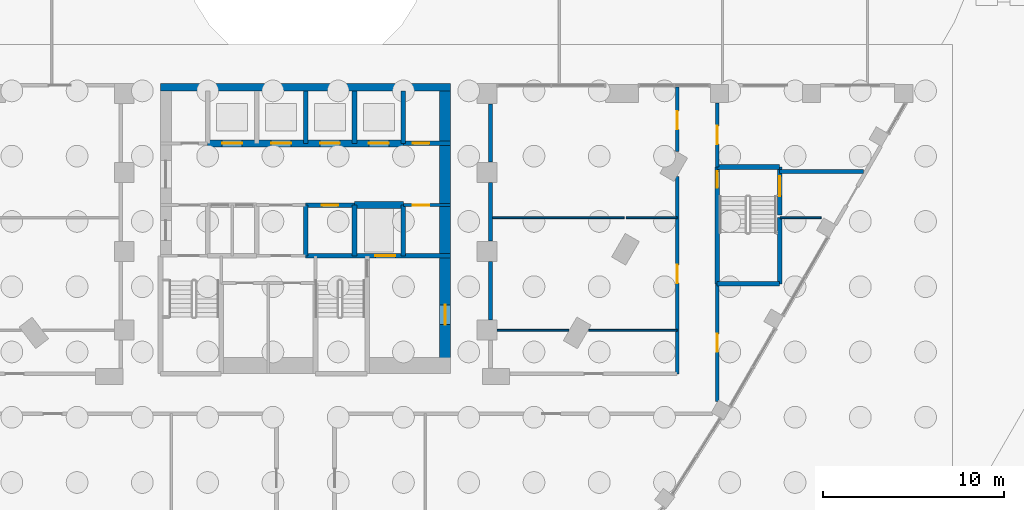
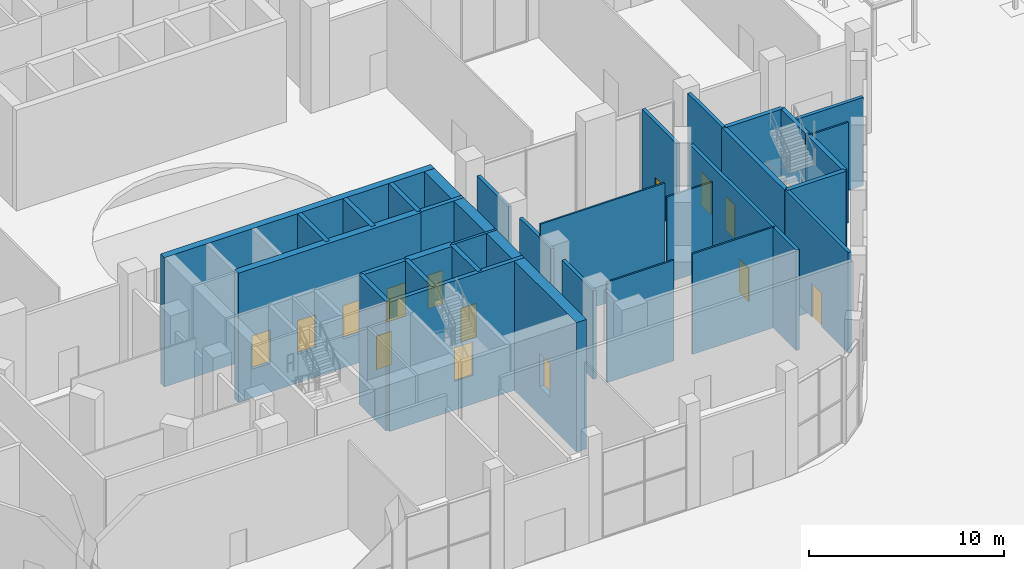
# One storey, part 26 of 44: 32 walls, 15 doors, 15 openings.
"""IFC4 building model written with IfcOpenShell, lengths in metres."""

import ifcopenshell
import ifcopenshell.guid

model = None  # the IFC model being written
_history = None  # IfcOwnerHistory: only IFC2X3 demands one
_inside = {}  # id of a spatial element -> (the spatial element, [elements in it])
_under = {}  # id of a project, library or spatial element -> (it, [spatial elements below it])
_declared = {}  # id of a project -> (the project, [libraries it declares])
_typed = {}  # id of a type object -> (the type object, [elements of that type])
_made_of = {}  # id of a material, layer set ... -> (it, [elements and type objects made of it])


def new_model(schema):
    """Start an empty IFC model of exactly this schema.

    Asked for "IFC4X3", IfcOpenShell would pick the latest addendum, in which some entities
    have other attributes; the version numbers below select the first issue.
    IFC2X3 requires an IfcOwnerHistory on every rooted entity: one is made here for all.
    """
    global model, _history
    if schema == "IFC4X3":
        model = ifcopenshell.file(schema_version=(4, 3, 0, 0))
    else:
        model = ifcopenshell.file(schema=schema)
    _inside.clear()
    _under.clear()
    _declared.clear()
    _typed.clear()
    _made_of.clear()
    _history = None
    if model.schema == "IFC2X3":
        org = make("IfcOrganization", Name="unknown")
        user = make(
            "IfcPersonAndOrganization",
            ThePerson=make("IfcPerson", FamilyName="unknown"),
            TheOrganization=org,
        )
        app = make(
            "IfcApplication",
            ApplicationDeveloper=org,
            Version="unknown",
            ApplicationFullName="unknown",
            ApplicationIdentifier="unknown",
        )
        _history = make(
            "IfcOwnerHistory",
            OwningUser=user,
            OwningApplication=app,
            ChangeAction="ADDED",
            CreationDate=0,
        )
    return model


def make(cls, **values):
    """One entity of the class cls with the attributes given. An attribute that is None is left unset."""
    return model.create_entity(
        cls, **{name: value for name, value in values.items() if value is not None}
    )


def rooted(cls, **values):
    """An entity with a GlobalId (a new one), such as an element, a storey or a relation."""
    return make(cls, GlobalId=ifcopenshell.guid.new(), OwnerHistory=_history, **values)


def si_unit(unit_type, name, prefix=None):
    """IfcSIUnit, for example si_unit("LENGTHUNIT", "METRE", prefix="MILLI")."""
    return make("IfcSIUnit", UnitType=unit_type, Prefix=prefix, Name=name)


def assignment(units):
    """IfcUnitAssignment: the units of a project."""
    return None if units is None else make("IfcUnitAssignment", Units=units)


def point(xyz):
    """IfcCartesianPoint."""
    return None if xyz is None else make("IfcCartesianPoint", Coordinates=xyz)


def direction(xyz):
    """IfcDirection."""
    return None if xyz is None else make("IfcDirection", DirectionRatios=xyz)


def frame(location, z_axis=None, x_axis=None):
    """IfcAxis2Placement3D, a coordinate frame: its origin and axes. An axis left out is left unset."""
    return make(
        "IfcAxis2Placement3D",
        Location=point(location),
        Axis=direction(z_axis),
        RefDirection=direction(x_axis),
    )


def frame_2d(location, x_axis=None):
    """IfcAxis2Placement2D, a coordinate frame in the plane: its origin and x axis."""
    return make(
        "IfcAxis2Placement2D", Location=point(location), RefDirection=direction(x_axis)
    )


def origin():
    """The frame at (0, 0, 0) with its axes left unset."""
    return frame((0.0, 0.0, 0.0))


def place(relative_to, where):
    """IfcLocalPlacement: puts the frame where relative to a parent placement (None: the world)."""
    return make(
        "IfcLocalPlacement", PlacementRelTo=relative_to, RelativePlacement=where
    )


def context(
    kind, dimensions, precision=None, world=None, true_north=None, identifier=None
):
    """IfcGeometricRepresentationContext, for example the 3D "Model" context."""
    return make(
        "IfcGeometricRepresentationContext",
        ContextIdentifier=identifier,
        ContextType=kind,
        CoordinateSpaceDimension=dimensions,
        Precision=precision,
        WorldCoordinateSystem=world,
        TrueNorth=true_north,
    )


def subcontext(parent, identifier, kind, view, scale=None):
    """IfcGeometricRepresentationSubContext, for example "Body" below "Model"."""
    return make(
        "IfcGeometricRepresentationSubContext",
        ContextIdentifier=identifier,
        ContextType=kind,
        ParentContext=parent,
        TargetScale=scale,
        TargetView=view,
    )


def project(units=None, contexts=None):
    """IfcProject with its units and contexts."""
    return rooted(
        "IfcProject",
        Name="project",
        RepresentationContexts=contexts,
        UnitsInContext=assignment(units),
    )


def spatial(cls, under=None, at=None, **own):
    """A site, building, storey or space (cls), placed at a placement, below another one or the project."""
    s = rooted(cls, ObjectPlacement=at, **own)
    if under is not None:
        _under.setdefault(under.id(), (under, []))[1].append(s)
    return s


def profile(cls, at=None, kind="AREA", **sizes):
    """A parametric profile (cls). Its sizes go by their IFC names, for example OverallWidth=200.0."""
    return make(cls, ProfileType=kind, Position=at, **sizes)


def rectangle(**sizes):
    """IfcRectangleProfileDef."""
    return profile("IfcRectangleProfileDef", **sizes)


def extrude(swept, where, along, depth):
    """IfcExtrudedAreaSolid: the profile swept, set in the frame where, extruded along a direction by depth."""
    return make(
        "IfcExtrudedAreaSolid",
        SweptArea=swept,
        Position=where,
        ExtrudedDirection=direction(along),
        Depth=depth,
    )


def shape(context_of_items, identifier, shape_type, items):
    """IfcShapeRepresentation: the items that make up one representation, for example the "Body"."""
    return make(
        "IfcShapeRepresentation",
        ContextOfItems=context_of_items,
        RepresentationIdentifier=identifier,
        RepresentationType=shape_type,
        Items=items,
    )


def material(Name=None, Category=None):
    """IfcMaterial."""
    return make("IfcMaterial", Name=Name, Category=Category)


def layer(
    of_material, thickness, ventilated=None, Name=None, Category=None, Priority=None
):
    """IfcMaterialLayer: one layer of a wall or slab, of a material (None: an air gap)."""
    return make(
        "IfcMaterialLayer",
        Material=of_material,
        LayerThickness=thickness,
        IsVentilated=ventilated,
        Name=Name,
        Category=Category,
        Priority=Priority,
    )


def layer_set(layers, Name=None):
    """IfcMaterialLayerSet."""
    return make("IfcMaterialLayerSet", MaterialLayers=layers, LayerSetName=Name)


def made_of(thing, what):
    """Note that an element or type object is made of a material, layer set ...; save() writes the relation."""
    if what is not None:
        _made_of.setdefault(what.id(), (what, []))[1].append(thing)
    return thing


def type_object(cls, material=None, **own):
    """A type object (cls), such as IfcWallType, which elements share."""
    return made_of(rooted(cls, **own), material)


def element(
    cls,
    number,
    at=None,
    inside=None,
    cuts=None,
    type_object=None,
    material=None,
    context=None,
    identifier="Body",
    shape_type=None,
    held_by="IfcProductDefinitionShape",
    body=None,
    shapes=None,
    **own,
):
    """One element of the class cls, such as IfcWall. Its Tag is "e" and its number.

    at: its placement. inside: the storey or other place that contains it. cuts: it is an
    opening in that element (IfcRelVoidsElement). A single representation is given by context,
    identifier, shape_type and body (its items); several are given by shapes. held_by: the class
    of the entity that holds the representations. save() writes the other relations.
    """
    e = rooted(cls, Tag="e%d" % number, ObjectPlacement=at, **own)
    if body is not None:
        shapes = [shape(context, identifier, shape_type, body)]
    if shapes is not None:
        e.Representation = make(held_by, Representations=shapes)
    if inside is not None:
        _inside.setdefault(inside.id(), (inside, []))[1].append(e)
    if cuts is not None:
        rooted(
            "IfcRelVoidsElement", RelatingBuildingElement=cuts, RelatedOpeningElement=e
        )
    if type_object is not None:
        _typed.setdefault(type_object.id(), (type_object, []))[1].append(e)
    return made_of(e, material)


def fill(opening, filler):
    """IfcRelFillsElement: the door or window that sits in an opening."""
    return rooted(
        "IfcRelFillsElement",
        RelatingOpeningElement=opening,
        RelatedBuildingElement=filler,
    )


def aggregate(whole, parts):
    """IfcRelAggregates: a whole, such as a stair, and the parts it consists of."""
    return rooted("IfcRelAggregates", RelatingObject=whole, RelatedObjects=parts)


def save(model, path):
    """Write the relations noted so far, then the file.

    IfcRelAggregates (storeys below a building ...), IfcRelContainedInSpatialStructure (elements
    in a storey), IfcRelDefinesByType, IfcRelAssociatesMaterial and IfcRelDeclares: one each for
    every whole, place, type object, material and project.
    """
    for whole, parts in _under.values():
        aggregate(whole, parts)
    for where, things in _inside.values():
        rooted(
            "IfcRelContainedInSpatialStructure",
            RelatedElements=things,
            RelatingStructure=where,
        )
    for kind, things in _typed.values():
        rooted("IfcRelDefinesByType", RelatedObjects=things, RelatingType=kind)
    for what, things in _made_of.values():
        rooted("IfcRelAssociatesMaterial", RelatedObjects=things, RelatingMaterial=what)
    for by, libraries in _declared.values():
        rooted("IfcRelDeclares", RelatingContext=by, RelatedDefinitions=libraries)
    model.write(path)


model = new_model("IFC4")

# Units and contexts
model_context = context("Model", 3, precision=1e-05, world=origin(), true_north=direction((0.0, 1.0)))
body_context = subcontext(model_context, "Body", "Model", "MODEL_VIEW")
ifc_project = project(units=[si_unit("LENGTHUNIT", "METRE"), si_unit("AREAUNIT", "SQUARE_METRE"), si_unit("VOLUMEUNIT", "CUBIC_METRE"), si_unit("PLANEANGLEUNIT", "RADIAN"), si_unit("MASSUNIT", "GRAM", prefix="KILO")], contexts=[model_context])

# Site, building, storey
site_placement = place(None, origin())
site = spatial("IfcSite", under=ifc_project, at=site_placement, CompositionType="ELEMENT")
building_placement = place(site_placement, origin())
building = spatial("IfcBuilding", under=site, at=building_placement, Name="Nakaniwa Court", CompositionType="ELEMENT")
storey_placement = place(building_placement, origin())
storey = spatial("IfcBuildingStorey", under=building, at=storey_placement, Name="L00", CompositionType="ELEMENT", Elevation=0.0)

# Wall, opening, door
ifc_material_1 = material(Name="Acoustic double stud partition")
ifc_layer_1 = layer(ifc_material_1, 0.199951171875)
ifc_layer_set_1 = layer_set([ifc_layer_1], Name="Acoustic double stud partition")
wall_type_1 = type_object("IfcWallType", Name="Acoustic double stud partition 200", PredefinedType="PARTITIONING", material=ifc_layer_set_1)
wall_1_placement = place(storey_placement, frame((102.699951171875, 61.552978515625, 0.0), z_axis=(0.0, 0.0, 1.0), x_axis=(0.0, -1.0, 0.0)))
wall_1 = element("IfcWall", 1, at=wall_1_placement, inside=storey, type_object=wall_type_1, Name="Partition PW-079", PredefinedType="PARTITIONING", context=body_context, shape_type="SweptSolid", body=[
    extrude(rectangle(XDim=6.49853515625, YDim=0.199951171875, at=frame_2d((3.249267578125, 0.0))), origin(), (0.0, 0.0, 1.0), 6.300048828125),
])
opening_1_placement = place(wall_1_placement, frame((2.75, 0.0, 0.0)))
opening_1 = element("IfcOpeningElement", 2, at=opening_1_placement, cuts=wall_1, Name="Opening D-02-16", PredefinedType="OPENING", context=body_context, shape_type="SweptSolid", body=[
    extrude(rectangle(XDim=1.0, YDim=2.10009765625, at=frame_2d((0.5, 1.050048828125))), frame((0.0, 0.10986328125, 0.0), z_axis=(0.0, -1.0, 0.0), x_axis=(1.0, 0.0, 0.0)), (0.0, 0.0, 1.0), 0.219970703125),
])
ifc_material_2 = material(Name="Solid core timber door set, black veneer", Category="wood")
door_type_1 = type_object("IfcDoorType", Name="Internal door 1000", OperationType="NOTDEFINED", PredefinedType="DOOR", material=ifc_material_2)
door_1_placement = place(opening_1_placement, origin())
door_1 = element("IfcDoor", 3, at=door_1_placement, inside=storey, type_object=door_type_1, Name="Door D-02-16 L00-052", OperationType="SINGLE_SWING_LEFT", OverallHeight=2.10009765625, OverallWidth=1.0, PredefinedType="DOOR", context=body_context, shape_type="SweptSolid", body=[
    extrude(rectangle(XDim=1.0, YDim=2.10009765625, at=frame_2d((0.5, 1.050048828125))), frame((0.0, 0.02490234375, 0.0), z_axis=(0.0, -1.0, 0.0), x_axis=(1.0, 0.0, 0.0)), (0.0, 0.0, 1.0), 0.050048828125),
])
fill(opening_1, door_1)

wall_2_placement = place(storey_placement, frame((102.699951171875, 71.532958984375, 0.0), z_axis=(0.0, 0.0, 1.0), x_axis=(0.0, -1.0, 0.0)))
wall_2 = element("IfcWall", 4, at=wall_2_placement, inside=storey, type_object=wall_type_1, Name="Partition PW-080", PredefinedType="PARTITIONING", context=body_context, shape_type="SweptSolid", body=[
    extrude(rectangle(XDim=3.535888671875, YDim=0.199951171875, at=frame_2d((1.76806640625, 0.0))), origin(), (0.0, 0.0, 1.0), 6.300048828125),
])
opening_2_placement = place(wall_2_placement, frame((1.26806640625, 0.0, 0.0)))
opening_2 = element("IfcOpeningElement", 5, at=opening_2_placement, cuts=wall_2, Name="Opening D-02-15", PredefinedType="OPENING", context=body_context, shape_type="SweptSolid", body=[
    extrude(rectangle(XDim=1.0, YDim=2.10009765625, at=frame_2d((0.5, 1.050048828125))), frame((0.0, 0.10986328125, 0.0), z_axis=(0.0, -1.0, 0.0), x_axis=(1.0, 0.0, 0.0)), (0.0, 0.0, 1.0), 0.219970703125),
])
door_2_placement = place(opening_2_placement, origin())
door_2 = element("IfcDoor", 6, at=door_2_placement, inside=storey, type_object=door_type_1, Name="Door D-02-15 L00-051", OperationType="SINGLE_SWING_RIGHT", OverallHeight=2.10009765625, OverallWidth=1.0, PredefinedType="DOOR", context=body_context, shape_type="SweptSolid", body=[
    extrude(rectangle(XDim=1.0, YDim=2.10009765625, at=frame_2d((0.5, 1.050048828125))), frame((0.0, 0.02490234375, 0.0), z_axis=(0.0, -1.0, 0.0), x_axis=(1.0, 0.0, 0.0)), (0.0, 0.0, 1.0), 0.050048828125),
])
fill(opening_2, door_2)

wall_3_placement = place(storey_placement, frame((100.5, 56.596923828125, 0.0), z_axis=(0.0, 0.0, 1.0), x_axis=(0.0, 1.0, 0.0)))
wall_3 = element("IfcWall", 7, at=wall_3_placement, inside=storey, type_object=wall_type_1, Name="Partition PW-085", PredefinedType="PARTITIONING", context=body_context, shape_type="SweptSolid", body=[
    extrude(rectangle(XDim=10.873291015625, YDim=0.199951171875, at=frame_2d((5.4365234375, 0.0))), origin(), (0.0, 0.0, 1.0), 6.300048828125),
])
opening_3_placement = place(wall_3_placement, frame((5.0029296875, 0.0, 0.0)))
opening_3 = element("IfcOpeningElement", 8, at=opening_3_placement, cuts=wall_3, Name="Opening D-02-18", PredefinedType="OPENING", context=body_context, shape_type="SweptSolid", body=[
    extrude(rectangle(XDim=1.0, YDim=2.10009765625, at=frame_2d((0.5, 1.050048828125))), frame((0.0, 0.10986328125, 0.0), z_axis=(0.0, -1.0, 0.0), x_axis=(1.0, 0.0, 0.0)), (0.0, 0.0, 1.0), 0.219970703125),
])
door_3_placement = place(opening_3_placement, origin())
door_3 = element("IfcDoor", 9, at=door_3_placement, inside=storey, type_object=door_type_1, Name="Door D-02-18 L00-054", OperationType="SINGLE_SWING_LEFT", OverallHeight=2.10009765625, OverallWidth=1.0, PredefinedType="DOOR", context=body_context, shape_type="SweptSolid", body=[
    extrude(rectangle(XDim=1.0, YDim=2.10009765625, at=frame_2d((0.5, 1.050048828125))), frame((0.0, 0.02490234375, 0.0), z_axis=(0.0, -1.0, 0.0), x_axis=(1.0, 0.0, 0.0)), (0.0, 0.0, 1.0), 0.050048828125),
])
fill(opening_3, door_3)

wall_4_placement = place(storey_placement, frame((100.5, 68.850830078125, 0.0), z_axis=(0.0, 0.0, 1.0), x_axis=(0.0, 1.0, 0.0)))
wall_4 = element("IfcWall", 10, at=wall_4_placement, inside=storey, type_object=wall_type_1, Name="Partition PW-086", PredefinedType="PARTITIONING", context=body_context, shape_type="SweptSolid", body=[
    extrude(rectangle(XDim=3.569091796875, YDim=0.199951171875, at=frame_2d((1.78466796875, 0.0))), origin(), (0.0, 0.0, 1.0), 5.530029296875),
])
opening_4_placement = place(wall_4_placement, frame((1.22607421875, 0.0, 0.0)))
opening_4 = element("IfcOpeningElement", 11, at=opening_4_placement, cuts=wall_4, Name="Opening D-02-17", PredefinedType="OPENING", context=body_context, shape_type="SweptSolid", body=[
    extrude(rectangle(XDim=1.0, YDim=2.10009765625, at=frame_2d((0.5, 1.050048828125))), frame((0.0, 0.10986328125, 0.0), z_axis=(0.0, -1.0, 0.0), x_axis=(1.0, 0.0, 0.0)), (0.0, 0.0, 1.0), 0.219970703125),
])
door_4_placement = place(opening_4_placement, origin())
door_4 = element("IfcDoor", 12, at=door_4_placement, inside=storey, type_object=door_type_1, Name="Door D-02-17 L00-053", OperationType="SINGLE_SWING_RIGHT", OverallHeight=2.10009765625, OverallWidth=1.0, PredefinedType="DOOR", context=body_context, shape_type="SweptSolid", body=[
    extrude(rectangle(XDim=1.0, YDim=2.10009765625, at=frame_2d((0.5, 1.050048828125))), frame((0.0, 0.02490234375, 0.0), z_axis=(0.0, -1.0, 0.0), x_axis=(1.0, 0.0, 0.0)), (0.0, 0.0, 1.0), 0.050048828125),
])
fill(opening_4, door_4)

# Walls
for number, where, z_axis, x_axis, name in (
    (13, (90.199951171875, 59.56689453125, 0.0), (0.0, 0.0, 1.0), (0.0, 1.0, 0.0), "Partition PW-104"),
    (14, (90.199951171875, 63.9169921875, 0.0), (0.0, 0.0, 1.0), (0.0, 1.0, 0.0), "Partition PW-105"),
):
    element("IfcWall", number, at=place(storey_placement, frame(where, z_axis=z_axis, x_axis=x_axis)), inside=storey, type_object=wall_type_1, Name=name, PredefinedType="PARTITIONING", context=body_context, shape_type="SweptSolid", body=[
        extrude(rectangle(XDim=3.216064453125, YDim=0.199951171875, at=frame_2d((1.60791015625, 0.0))), origin(), (0.0, 0.0, 1.0), 5.530029296875),
    ])
wall_5_placement = place(storey_placement, frame((90.199951171875, 68.26708984375, 0.0), z_axis=(0.0, 0.0, 1.0), x_axis=(0.0, 1.0, 0.0)))
element("IfcWall", 15, at=wall_5_placement, inside=storey, type_object=wall_type_1, Name="Partition PW-106", PredefinedType="PARTITIONING", context=body_context, shape_type="SweptSolid", body=[
    extrude(rectangle(XDim=3.2158203125, YDim=0.199951171875, at=frame_2d((1.60791015625, 0.0))), origin(), (0.0, 0.0, 1.0), 5.530029296875),
])
wall_6_placement = place(storey_placement, frame((106.14990234375, 67.75, 0.0), z_axis=(0.0, 0.0, 1.0), x_axis=(1.0, 0.0, 0.0)))
element("IfcWall", 16, at=wall_6_placement, inside=storey, type_object=wall_type_1, Name="Partition PW-147", PredefinedType="PARTITIONING", context=body_context, shape_type="SweptSolid", body=[
    extrude(rectangle(XDim=4.62158203125, YDim=0.199951171875, at=frame_2d((2.310791015625, 0.0))), origin(), (0.0, 0.0, 1.0), 5.530029296875),
])

# Wall, opening, door
ifc_material_3 = material(Name="Blockwork partition", Category="masonry")
ifc_layer_2 = layer(ifc_material_3, 0.14990234375)
ifc_layer_set_2 = layer_set([ifc_layer_2], Name="Blockwork partition")
wall_type_2 = type_object("IfcWallType", Name="Blockwork partition 150", PredefinedType="PARTITIONING", material=ifc_layer_set_2)
wall_7_placement = place(storey_placement, frame((88.0, 65.89990234375, 0.0), z_axis=(0.0, 0.0, 1.0), x_axis=(-1.0, 0.0, 0.0)))
wall_7 = element("IfcWall", 17, at=wall_7_placement, inside=storey, type_object=wall_type_2, Name="Partition PW-056", PredefinedType="PARTITIONING", context=body_context, shape_type="SweptSolid", body=[
    extrude(rectangle(XDim=2.60302734375, YDim=0.14990234375, at=frame_2d((1.301513671875, 0.0))), origin(), (0.0, 0.0, 1.0), 6.300048828125),
])
opening_5_placement = place(wall_7_placement, frame((1.175048828125, 0.0, 0.0)))
opening_5 = element("IfcOpeningElement", 18, at=opening_5_placement, cuts=wall_7, Name="Opening D-05-14", PredefinedType="OPENING", context=body_context, shape_type="SweptSolid", body=[
    extrude(rectangle(XDim=0.89990234375, YDim=2.10009765625, at=frame_2d((0.449951171875, 1.050048828125))), frame((0.0, 0.0849609375, 0.0), z_axis=(0.0, -1.0, 0.0), x_axis=(1.0, 0.0, 0.0)), (0.0, 0.0, 1.0), 0.169921875),
])
ifc_material_4 = material(Name="Fire rated steel door set", Category="steel")
door_type_2 = type_object("IfcDoorType", Name="Service room door 900", OperationType="NOTDEFINED", PredefinedType="DOOR", material=ifc_material_4)
door_5_placement = place(opening_5_placement, origin())
door_5 = element("IfcDoor", 19, at=door_5_placement, inside=storey, type_object=door_type_2, Name="Door D-05-14 L00-021", OperationType="SINGLE_SWING_RIGHT", OverallHeight=2.10009765625, OverallWidth=0.89990234375, PredefinedType="DOOR", context=body_context, shape_type="SweptSolid", body=[
    extrude(rectangle(XDim=0.89990234375, YDim=2.10009765625, at=frame_2d((0.449951171875, 1.050048828125))), frame((0.0, 0.02490234375, 0.0), z_axis=(0.0, -1.0, 0.0), x_axis=(1.0, 0.0, 0.0)), (0.0, 0.0, 1.0), 0.050048828125),
])
fill(opening_5, door_5)

ifc_material_5 = material(Name="Concrete C100/115", Category="concrete")
ifc_layer_3 = layer(ifc_material_5, 0.60009765625)
ifc_layer_set_3 = layer_set([ifc_layer_3], Name="Concrete C100/115")
wall_type_3 = type_object("IfcWallType", Name="Concrete core side wall 600 C100", PredefinedType="SHEAR", material=ifc_layer_set_3)
wall_8_placement = place(storey_placement, frame((87.699951171875, 56.60009765625, -1.800048828125), z_axis=(0.0, 0.0, 1.0), x_axis=(0.0, 1.0, 0.0)))
wall_8 = element("IfcWall", 20, at=wall_8_placement, inside=storey, type_object=wall_type_3, Name="Core wall SW-53", PredefinedType="SHEAR", context=body_context, shape_type="SweptSolid", body=[
    extrude(rectangle(XDim=15.599853515625, YDim=0.60009765625, at=frame_2d((7.7998046875, 0.0))), origin(), (0.0, 0.0, 1.0), 8.10009765625),
])
opening_6_placement = place(wall_8_placement, frame((2.701904296875, 0.0, 1.800048828125)))
opening_6 = element("IfcOpeningElement", 21, at=opening_6_placement, cuts=wall_8, Name="Opening D-10-02", PredefinedType="OPENING", context=body_context, shape_type="SweptSolid", body=[
    extrude(rectangle(XDim=1.10009765625, YDim=2.10009765625, at=frame_2d((0.550048828125, 1.050048828125))), frame((0.0, 0.31005859375, 0.0), z_axis=(0.0, -1.0, 0.0), x_axis=(1.0, 0.0, 0.0)), (0.0, 0.0, 1.0), 0.6201171875),
])
door_type_3 = type_object("IfcDoorType", Name="Firefighting lobby door 1100", OperationType="NOTDEFINED", PredefinedType="DOOR", material=ifc_material_4)
door_6_placement = place(opening_6_placement, origin())
door_6 = element("IfcDoor", 22, at=door_6_placement, inside=storey, type_object=door_type_3, Name="Door D-10-02 L00-071", OperationType="SINGLE_SWING_RIGHT", OverallHeight=2.10009765625, OverallWidth=1.10009765625, PredefinedType="DOOR", context=body_context, shape_type="SweptSolid", body=[
    extrude(rectangle(XDim=1.10009765625, YDim=2.10009765625, at=frame_2d((0.550048828125, 1.050048828125))), frame((0.0, 0.02490234375, 0.0), z_axis=(0.0, -1.0, 0.0), x_axis=(1.0, 0.0, 0.0)), (0.0, 0.0, 1.0), 0.050048828125),
])
fill(opening_6, door_6)

# Wall, openings, doors
ifc_layer_4 = layer(ifc_material_5, 0.39990234375)
ifc_layer_set_4 = layer_set([ifc_layer_4], Name="Concrete C100/115")
wall_type_4 = type_object("IfcWallType", Name="Concrete core spine wall 400 C100", PredefinedType="SHEAR", material=ifc_layer_set_4)
wall_9_placement = place(storey_placement, frame((74.60009765625, 69.300048828125, -1.800048828125), z_axis=(0.0, 0.0, 1.0), x_axis=(1.0, 0.0, 0.0)))
wall_9 = element("IfcWall", 23, at=wall_9_placement, inside=storey, type_object=wall_type_4, Name="Core wall SW-45", PredefinedType="SHEAR", context=body_context, shape_type="SweptSolid", body=[
    extrude(rectangle(XDim=10.7998046875, YDim=0.39990234375, at=frame_2d((5.39990234375, 0.0))), origin(), (0.0, 0.0, 1.0), 8.10009765625),
])
opening_7_placement = place(wall_9_placement, frame((0.800048828125, 0.0, 1.800048828125)))
opening_7 = element("IfcOpeningElement", 24, at=opening_7_placement, cuts=wall_9, Name="Opening LD06", PredefinedType="OPENING", context=body_context, shape_type="SweptSolid", body=[
    extrude(rectangle(XDim=1.10009765625, YDim=2.10009765625, at=frame_2d((0.550048828125, 1.050048828125))), frame((0.0, 0.2099609375, 0.0), z_axis=(0.0, -1.0, 0.0), x_axis=(1.0, 0.0, 0.0)), (0.0, 0.0, 1.0), 0.419921875),
])
opening_8_placement = place(wall_9_placement, frame((3.5, 0.0, 1.800048828125)))
opening_8 = element("IfcOpeningElement", 25, at=opening_8_placement, cuts=wall_9, Name="Opening LD07", PredefinedType="OPENING", context=body_context, shape_type="SweptSolid", body=[
    extrude(rectangle(XDim=1.10009765625, YDim=2.10009765625, at=frame_2d((0.550048828125, 1.050048828125))), frame((0.0, 0.2099609375, 0.0), z_axis=(0.0, -1.0, 0.0), x_axis=(1.0, 0.0, 0.0)), (0.0, 0.0, 1.0), 0.419921875),
])
opening_9_placement = place(wall_9_placement, frame((6.199951171875, 0.0, 1.800048828125)))
opening_9 = element("IfcOpeningElement", 26, at=opening_9_placement, cuts=wall_9, Name="Opening LD08", PredefinedType="OPENING", context=body_context, shape_type="SweptSolid", body=[
    extrude(rectangle(XDim=1.10009765625, YDim=2.10009765625, at=frame_2d((0.550048828125, 1.050048828125))), frame((0.0, 0.2099609375, 0.0), z_axis=(0.0, -1.0, 0.0), x_axis=(1.0, 0.0, 0.0)), (0.0, 0.0, 1.0), 0.419921875),
])
opening_10_placement = place(wall_9_placement, frame((8.89990234375, 0.0, 1.800048828125)))
opening_10 = element("IfcOpeningElement", 27, at=opening_10_placement, cuts=wall_9, Name="Opening LD09", PredefinedType="OPENING", context=body_context, shape_type="SweptSolid", body=[
    extrude(rectangle(XDim=1.10009765625, YDim=2.10009765625, at=frame_2d((0.550048828125, 1.050048828125))), frame((0.0, 0.2099609375, 0.0), z_axis=(0.0, -1.0, 0.0), x_axis=(1.0, 0.0, 0.0)), (0.0, 0.0, 1.0), 0.419921875),
])
ifc_material_6 = material(Name="Stainless steel sliding lift landing door", Category="steel")
door_type_4 = type_object("IfcDoorType", Name="Lift landing door 1100", OperationType="NOTDEFINED", PredefinedType="DOOR", material=ifc_material_6)
door_7_placement = place(opening_7_placement, origin())
door_7 = element("IfcDoor", 28, at=door_7_placement, inside=storey, type_object=door_type_4, Name="Lift landing door LD06 L00-006", OperationType="SLIDING_TO_LEFT", OverallHeight=2.10009765625, OverallWidth=1.10009765625, PredefinedType="DOOR", context=body_context, shape_type="SweptSolid", body=[
    extrude(rectangle(XDim=1.10009765625, YDim=2.10009765625, at=frame_2d((0.550048828125, 1.050048828125))), frame((0.0, 0.02490234375, 0.0), z_axis=(0.0, -1.0, 0.0), x_axis=(1.0, 0.0, 0.0)), (0.0, 0.0, 1.0), 0.050048828125),
])
fill(opening_7, door_7)
door_8_placement = place(opening_8_placement, origin())
door_8 = element("IfcDoor", 29, at=door_8_placement, inside=storey, type_object=door_type_4, Name="Lift landing door LD07 L00-007", OperationType="SLIDING_TO_LEFT", OverallHeight=2.10009765625, OverallWidth=1.10009765625, PredefinedType="DOOR", context=body_context, shape_type="SweptSolid", body=[
    extrude(rectangle(XDim=1.10009765625, YDim=2.10009765625, at=frame_2d((0.550048828125, 1.050048828125))), frame((0.0, 0.02490234375, 0.0), z_axis=(0.0, -1.0, 0.0), x_axis=(1.0, 0.0, 0.0)), (0.0, 0.0, 1.0), 0.050048828125),
])
fill(opening_8, door_8)
door_9_placement = place(opening_9_placement, origin())
door_9 = element("IfcDoor", 30, at=door_9_placement, inside=storey, type_object=door_type_4, Name="Lift landing door LD08 L00-008", OperationType="SLIDING_TO_LEFT", OverallHeight=2.10009765625, OverallWidth=1.10009765625, PredefinedType="DOOR", context=body_context, shape_type="SweptSolid", body=[
    extrude(rectangle(XDim=1.10009765625, YDim=2.10009765625, at=frame_2d((0.550048828125, 1.050048828125))), frame((0.0, 0.02490234375, 0.0), z_axis=(0.0, -1.0, 0.0), x_axis=(1.0, 0.0, 0.0)), (0.0, 0.0, 1.0), 0.050048828125),
])
fill(opening_9, door_9)
door_10_placement = place(opening_10_placement, origin())
door_10 = element("IfcDoor", 31, at=door_10_placement, inside=storey, type_object=door_type_4, Name="Lift landing door LD09 L00-009", OperationType="SLIDING_TO_LEFT", OverallHeight=2.10009765625, OverallWidth=1.10009765625, PredefinedType="DOOR", context=body_context, shape_type="SweptSolid", body=[
    extrude(rectangle(XDim=1.10009765625, YDim=2.10009765625, at=frame_2d((0.550048828125, 1.050048828125))), frame((0.0, 0.02490234375, 0.0), z_axis=(0.0, -1.0, 0.0), x_axis=(1.0, 0.0, 0.0)), (0.0, 0.0, 1.0), 0.050048828125),
])
fill(opening_10, door_10)

# Wall
wall_10_placement = place(storey_placement, frame((82.697021484375, 65.89990234375, -1.800048828125), z_axis=(0.0, 0.0, 1.0), x_axis=(1.0, 0.0, 0.0)))
element("IfcWall", 32, at=wall_10_placement, inside=storey, type_object=wall_type_4, Name="Core wall SW-59", PredefinedType="SHEAR", context=body_context, shape_type="SweptSolid", body=[
    extrude(rectangle(XDim=2.7060546875, YDim=0.39990234375, at=frame_2d((1.35302734375, 0.0))), origin(), (0.0, 0.0, 1.0), 8.10009765625),
])

# Wall, opening, door
ifc_layer_5 = layer(ifc_material_5, 0.25)
ifc_layer_set_5 = layer_set([ifc_layer_5], Name="Concrete C100/115")
wall_type_5 = type_object("IfcWallType", Name="Concrete core wall 250 C100", PredefinedType="SHEAR", material=ifc_layer_set_5)
wall_11_placement = place(storey_placement, frame((102.699951171875, 61.547119140625, -1.800048828125), z_axis=(0.0, 0.0, 1.0), x_axis=(0.0, 1.0, 0.0)))
wall_11 = element("IfcWall", 33, at=wall_11_placement, inside=storey, type_object=wall_type_5, Name="Core wall SW-77", PredefinedType="SHEAR", context=body_context, shape_type="SweptSolid", body=[
    extrude(rectangle(XDim=6.455810546875, YDim=0.25, at=frame_2d((3.22802734375, 0.0))), origin(), (0.0, 0.0, 1.0), 8.10009765625),
])
opening_11_placement = place(wall_11_placement, frame((5.305908203125, 0.0, 1.800048828125)))
opening_11 = element("IfcOpeningElement", 34, at=opening_11_placement, cuts=wall_11, Name="Opening D-11-05", PredefinedType="OPENING", context=body_context, shape_type="SweptSolid", body=[
    extrude(rectangle(XDim=0.89990234375, YDim=2.10009765625, at=frame_2d((0.449951171875, 1.050048828125))), frame((0.0, 0.135009765625, 0.0), z_axis=(0.0, -1.0, 0.0), x_axis=(1.0, 0.0, 0.0)), (0.0, 0.0, 1.0), 0.27001953125),
])
door_type_5 = type_object("IfcDoorType", Name="Stair door 900", OperationType="NOTDEFINED", PredefinedType="DOOR", material=ifc_material_4)
door_11_placement = place(opening_11_placement, origin())
door_11 = element("IfcDoor", 35, at=door_11_placement, inside=storey, type_object=door_type_5, Name="Door D-11-05 L00-046", OperationType="SINGLE_SWING_RIGHT", OverallHeight=2.10009765625, OverallWidth=0.89990234375, PredefinedType="DOOR", context=body_context, shape_type="SweptSolid", body=[
    extrude(rectangle(XDim=0.89990234375, YDim=2.10009765625, at=frame_2d((0.449951171875, 1.050048828125))), frame((0.0, 0.02490234375, 0.0), z_axis=(0.0, -1.0, 0.0), x_axis=(1.0, 0.0, 0.0)), (0.0, 0.0, 1.0), 0.050048828125),
])
fill(opening_11, door_11)

# Wall
wall_12_placement = place(storey_placement, frame((106.14990234375, 61.550048828125, -1.800048828125), z_axis=(0.0, 0.0, 1.0), x_axis=(0.0, 1.0, 0.0)))
element("IfcWall", 36, at=wall_12_placement, inside=storey, type_object=wall_type_5, Name="Core wall SW-123", PredefinedType="SHEAR", context=body_context, shape_type="SweptSolid", body=[
    extrude(rectangle(XDim=3.65283203125, YDim=0.25, at=frame_2d((1.826416015625, 0.0))), origin(), (0.0, 0.0, 1.0), 8.10009765625),
])

# Wall, opening, door
wall_13_placement = place(storey_placement, frame((106.14990234375, 68.0, -1.800048828125), z_axis=(0.0, 0.0, 1.0), x_axis=(0.0, -1.0, 0.0)))
wall_13 = element("IfcWall", 37, at=wall_13_placement, inside=storey, type_object=wall_type_5, Name="Core wall SW-124", PredefinedType="SHEAR", context=body_context, shape_type="SweptSolid", body=[
    extrude(rectangle(XDim=2.64990234375, YDim=0.25, at=frame_2d((1.324951171875, 0.0))), origin(), (0.0, 0.0, 1.0), 8.10009765625),
])
opening_12_placement = place(wall_13_placement, frame((0.5, 0.0, 1.800048828125)))
opening_12 = element("IfcOpeningElement", 38, at=opening_12_placement, cuts=wall_13, Name="Opening D-09-07", PredefinedType="OPENING", context=body_context, shape_type="SweptSolid", body=[
    extrude(rectangle(XDim=1.10009765625, YDim=2.10009765625, at=frame_2d((0.550048828125, 1.050048828125))), frame((0.0, 0.135009765625, 0.0), z_axis=(0.0, -1.0, 0.0), x_axis=(1.0, 0.0, 0.0)), (0.0, 0.0, 1.0), 0.27001953125),
])
door_type_6 = type_object("IfcDoorType", Name="Stair door 1100", OperationType="NOTDEFINED", PredefinedType="DOOR", material=ifc_material_4)
door_12_placement = place(opening_12_placement, origin())
door_12 = element("IfcDoor", 39, at=door_12_placement, inside=storey, type_object=door_type_6, Name="Door D-09-07 L00-045", OperationType="SINGLE_SWING_LEFT", OverallHeight=2.10009765625, OverallWidth=1.10009765625, PredefinedType="DOOR", context=body_context, shape_type="SweptSolid", body=[
    extrude(rectangle(XDim=1.10009765625, YDim=2.10009765625, at=frame_2d((0.550048828125, 1.050048828125))), frame((0.0, 0.02490234375, 0.0), z_axis=(0.0, -1.0, 0.0), x_axis=(1.0, 0.0, 0.0)), (0.0, 0.0, 1.0), 0.050048828125),
])
fill(opening_12, door_12)

# Walls
for number, where, z_axis, x_axis, name in (
    (40, (102.699951171875, 68.0, -1.800048828125), (0.0, 0.0, 1.0), (1.0, 0.0, 0.0), "Core wall SW-150"),
    (41, (102.699951171875, 61.550048828125, -1.800048828125), (0.0, 0.0, 1.0), (1.0, 0.0, 0.0), "Core wall SW-152"),
):
    element("IfcWall", number, at=place(storey_placement, frame(where, z_axis=z_axis, x_axis=x_axis)), inside=storey, type_object=wall_type_5, Name=name, PredefinedType="SHEAR", context=body_context, shape_type="SweptSolid", body=[
        extrude(rectangle(XDim=3.449951171875, YDim=0.25, at=frame_2d((1.72509765625, 0.0))), origin(), (0.0, 0.0, 1.0), 8.10009765625),
    ])
ifc_layer_6 = layer(ifc_material_5, 0.39990234375)
ifc_layer_set_6 = layer_set([ifc_layer_6], Name="Concrete C100/115")
wall_type_6 = type_object("IfcWallType", Name="Concrete core well wall 400 C100", PredefinedType="SHEAR", material=ifc_layer_set_6)
wall_14_placement = place(storey_placement, frame((72.00390625, 72.39990234375, -1.800048828125), z_axis=(0.0, 0.0, 1.0), x_axis=(1.0, 0.0, 0.0)))
element("IfcWall", 42, at=wall_14_placement, inside=storey, type_object=wall_type_6, Name="Core wall SW-170", PredefinedType="SHEAR", context=body_context, shape_type="SweptSolid", body=[
    extrude(rectangle(XDim=15.9921875, YDim=0.39990234375, at=frame_2d((7.99609375, 0.0))), origin(), (0.0, 0.0, 1.0), 8.10009765625),
])
ifc_layer_7 = layer(ifc_material_5, 0.25)
ifc_layer_set_7 = layer_set([ifc_layer_7], Name="Concrete C100/115")
wall_type_7 = type_object("IfcWallType", Name="Concrete shaft wall 250 C100", PredefinedType="SHEAR", material=ifc_layer_set_7)
wall_15_placement = place(storey_placement, frame((80.0, 63.10009765625, -1.800048828125), z_axis=(0.0, 0.0, 1.0), x_axis=(0.0, 1.0, 0.0)))
element("IfcWall", 43, at=wall_15_placement, inside=storey, type_object=wall_type_7, Name="Core wall SW-46", PredefinedType="SHEAR", context=body_context, shape_type="SweptSolid", body=[
    extrude(rectangle(XDim=2.7998046875, YDim=0.25, at=frame_2d((1.39990234375, 0.0))), origin(), (0.0, 0.0, 1.0), 8.10009765625),
])
wall_16_placement = place(storey_placement, frame((80.0, 69.300048828125, -1.800048828125), z_axis=(0.0, 0.0, 1.0), x_axis=(0.0, 1.0, 0.0)))
element("IfcWall", 44, at=wall_16_placement, inside=storey, type_object=wall_type_7, Name="Core wall SW-47", PredefinedType="SHEAR", context=body_context, shape_type="SweptSolid", body=[
    extrude(rectangle(XDim=2.89990234375, YDim=0.25, at=frame_2d((1.449951171875, 0.0))), origin(), (0.0, 0.0, 1.0), 8.10009765625),
])
wall_17_placement = place(storey_placement, frame((82.699951171875, 63.10009765625, -1.800048828125), z_axis=(0.0, 0.0, 1.0), x_axis=(0.0, 1.0, 0.0)))
element("IfcWall", 45, at=wall_17_placement, inside=storey, type_object=wall_type_7, Name="Core wall SW-48", PredefinedType="SHEAR", context=body_context, shape_type="SweptSolid", body=[
    extrude(rectangle(XDim=2.7998046875, YDim=0.25, at=frame_2d((1.39990234375, 0.0))), origin(), (0.0, 0.0, 1.0), 8.10009765625),
])
wall_18_placement = place(storey_placement, frame((82.699951171875, 69.300048828125, -1.800048828125), z_axis=(0.0, 0.0, 1.0), x_axis=(0.0, 1.0, 0.0)))
element("IfcWall", 46, at=wall_18_placement, inside=storey, type_object=wall_type_7, Name="Core wall SW-49", PredefinedType="SHEAR", context=body_context, shape_type="SweptSolid", body=[
    extrude(rectangle(XDim=2.89990234375, YDim=0.25, at=frame_2d((1.449951171875, 0.0))), origin(), (0.0, 0.0, 1.0), 8.10009765625),
])
wall_19_placement = place(storey_placement, frame((85.39990234375, 63.10009765625, -1.800048828125), z_axis=(0.0, 0.0, 1.0), x_axis=(0.0, 1.0, 0.0)))
element("IfcWall", 47, at=wall_19_placement, inside=storey, type_object=wall_type_7, Name="Core wall SW-50", PredefinedType="SHEAR", context=body_context, shape_type="SweptSolid", body=[
    extrude(rectangle(XDim=2.7998046875, YDim=0.25, at=frame_2d((1.39990234375, 0.0))), origin(), (0.0, 0.0, 1.0), 8.10009765625),
])
wall_20_placement = place(storey_placement, frame((85.39990234375, 69.300048828125, -1.800048828125), z_axis=(0.0, 0.0, 1.0), x_axis=(0.0, 1.0, 0.0)))
element("IfcWall", 48, at=wall_20_placement, inside=storey, type_object=wall_type_7, Name="Core wall SW-51", PredefinedType="SHEAR", context=body_context, shape_type="SweptSolid", body=[
    extrude(rectangle(XDim=2.89990234375, YDim=0.25, at=frame_2d((1.449951171875, 0.0))), origin(), (0.0, 0.0, 1.0), 8.10009765625),
])

# Wall, opening, door
wall_21_placement = place(storey_placement, frame((85.39990234375, 69.300048828125, -1.800048828125), z_axis=(0.0, 0.0, 1.0), x_axis=(1.0, 0.0, 0.0)))
wall_21 = element("IfcWall", 49, at=wall_21_placement, inside=storey, type_object=wall_type_7, Name="Core wall SW-52", PredefinedType="SHEAR", context=body_context, shape_type="SweptSolid", body=[
    extrude(rectangle(XDim=2.60009765625, YDim=0.25, at=frame_2d((1.300048828125, 0.0))), origin(), (0.0, 0.0, 1.0), 8.10009765625),
])
opening_13_placement = place(wall_21_placement, frame((0.52490234375, 0.0, 1.800048828125)))
opening_13 = element("IfcOpeningElement", 50, at=opening_13_placement, cuts=wall_21, Name="Opening D-05-10", PredefinedType="OPENING", context=body_context, shape_type="SweptSolid", body=[
    extrude(rectangle(XDim=0.89990234375, YDim=2.10009765625, at=frame_2d((0.449951171875, 1.050048828125))), frame((0.0, 0.135009765625, 0.0), z_axis=(0.0, -1.0, 0.0), x_axis=(1.0, 0.0, 0.0)), (0.0, 0.0, 1.0), 0.27001953125),
])
door_13_placement = place(opening_13_placement, origin())
door_13 = element("IfcDoor", 51, at=door_13_placement, inside=storey, type_object=door_type_2, Name="Door D-05-10 L00-015", OperationType="SINGLE_SWING_RIGHT", OverallHeight=2.10009765625, OverallWidth=0.89990234375, PredefinedType="DOOR", context=body_context, shape_type="SweptSolid", body=[
    extrude(rectangle(XDim=0.89990234375, YDim=2.10009765625, at=frame_2d((0.449951171875, 1.050048828125))), frame((0.0, 0.02490234375, 0.0), z_axis=(0.0, -1.0, 0.0), x_axis=(1.0, 0.0, 0.0)), (0.0, 0.0, 1.0), 0.050048828125),
])
fill(opening_13, door_13)

wall_22_placement = place(storey_placement, frame((82.702880859375, 65.89990234375, -1.800048828125), z_axis=(0.0, 0.0, 1.0), x_axis=(-1.0, 0.0, 0.0)))
wall_22 = element("IfcWall", 52, at=wall_22_placement, inside=storey, type_object=wall_type_7, Name="Core wall SW-58", PredefinedType="SHEAR", context=body_context, shape_type="SweptSolid", body=[
    extrude(rectangle(XDim=2.705810546875, YDim=0.25, at=frame_2d((1.35302734375, 0.0))), origin(), (0.0, 0.0, 1.0), 8.10009765625),
])
opening_14_placement = place(wall_22_placement, frame((0.903076171875, 0.0, 1.800048828125)))
opening_14 = element("IfcOpeningElement", 53, at=opening_14_placement, cuts=wall_22, Name="Opening D-05-13", PredefinedType="OPENING", context=body_context, shape_type="SweptSolid", body=[
    extrude(rectangle(XDim=0.89990234375, YDim=2.10009765625, at=frame_2d((0.449951171875, 1.050048828125))), frame((0.0, 0.135009765625, 0.0), z_axis=(0.0, -1.0, 0.0), x_axis=(1.0, 0.0, 0.0)), (0.0, 0.0, 1.0), 0.27001953125),
])
door_14_placement = place(opening_14_placement, origin())
door_14 = element("IfcDoor", 54, at=door_14_placement, inside=storey, type_object=door_type_2, Name="Door D-05-13 L00-020", OperationType="SINGLE_SWING_LEFT", OverallHeight=2.10009765625, OverallWidth=0.89990234375, PredefinedType="DOOR", context=body_context, shape_type="SweptSolid", body=[
    extrude(rectangle(XDim=0.89990234375, YDim=2.10009765625, at=frame_2d((0.449951171875, 1.050048828125))), frame((0.0, 0.02490234375, 0.0), z_axis=(0.0, -1.0, 0.0), x_axis=(1.0, 0.0, 0.0)), (0.0, 0.0, 1.0), 0.050048828125),
])
fill(opening_14, door_14)

wall_23_placement = place(storey_placement, frame((80.0, 63.10009765625, -1.800048828125), z_axis=(0.0, 0.0, 1.0), x_axis=(1.0, 0.0, 0.0)))
wall_23 = element("IfcWall", 55, at=wall_23_placement, inside=storey, type_object=wall_type_7, Name="Core wall SW-63", PredefinedType="SHEAR", context=body_context, shape_type="SweptSolid", body=[
    extrude(rectangle(XDim=8.0, YDim=0.25, at=frame_2d((4.0, 0.0))), origin(), (0.0, 0.0, 1.0), 8.10009765625),
])
opening_15_placement = place(wall_23_placement, frame((3.84912109375, 0.0, 1.800048828125)))
opening_15 = element("IfcOpeningElement", 56, at=opening_15_placement, cuts=wall_23, Name="Opening LD10", PredefinedType="OPENING", context=body_context, shape_type="SweptSolid", body=[
    extrude(rectangle(XDim=1.10009765625, YDim=2.10009765625, at=frame_2d((0.550048828125, 1.050048828125))), frame((0.0, 0.135009765625, 0.0), z_axis=(0.0, -1.0, 0.0), x_axis=(1.0, 0.0, 0.0)), (0.0, 0.0, 1.0), 0.27001953125),
])
door_15_placement = place(opening_15_placement, origin())
door_15 = element("IfcDoor", 57, at=door_15_placement, inside=storey, type_object=door_type_4, Name="Lift landing door LD10 L00-010", OperationType="SLIDING_TO_LEFT", OverallHeight=2.10009765625, OverallWidth=1.10009765625, PredefinedType="DOOR", context=body_context, shape_type="SweptSolid", body=[
    extrude(rectangle(XDim=1.10009765625, YDim=2.10009765625, at=frame_2d((0.550048828125, 1.050048828125))), frame((0.0, 0.02490234375, 0.0), z_axis=(0.0, -1.0, 0.0), x_axis=(1.0, 0.0, 0.0)), (0.0, 0.0, 1.0), 0.050048828125),
])
fill(opening_15, door_15)

# Walls
ifc_material_7 = material(Name="Single stud plasterboard partition")
ifc_layer_8 = layer(ifc_material_7, 0.10009765625)
ifc_layer_set_8 = layer_set([ifc_layer_8], Name="Single stud plasterboard partition")
wall_type_8 = type_object("IfcWallType", Name="Single stud plasterboard partition 100", PredefinedType="PARTITIONING", material=ifc_layer_set_8)
wall_24_placement = place(storey_placement, frame((90.199951171875, 65.199951171875, 0.0), z_axis=(0.0, 0.0, 1.0), x_axis=(1.0, 0.0, 0.0)))
element("IfcWall", 58, at=wall_24_placement, inside=storey, type_object=wall_type_8, Name="Partition PW-155", PredefinedType="PARTITIONING", context=body_context, shape_type="SweptSolid", body=[
    extrude(rectangle(XDim=7.366455078125, YDim=0.10009765625, at=frame_2d((3.68310546875, 0.0))), origin(), (0.0, 0.0, 1.0), 6.300048828125),
])
wall_25_placement = place(storey_placement, frame((97.680419921875, 65.199951171875, 0.0), z_axis=(0.0, 0.0, 1.0), x_axis=(1.0, 0.0, 0.0)))
element("IfcWall", 59, at=wall_25_placement, inside=storey, type_object=wall_type_8, Name="Partition PW-156", PredefinedType="PARTITIONING", context=body_context, shape_type="SweptSolid", body=[
    extrude(rectangle(XDim=2.819580078125, YDim=0.10009765625, at=frame_2d((1.40966796875, 0.0))), origin(), (0.0, 0.0, 1.0), 5.3798828125),
])
wall_26_placement = place(storey_placement, frame((106.169921875, 65.199951171875, 0.0), z_axis=(0.0, 0.0, 1.0), x_axis=(1.0, 0.0, 0.0)))
element("IfcWall", 60, at=wall_26_placement, inside=storey, type_object=wall_type_8, Name="Partition PW-157", PredefinedType="PARTITIONING", context=body_context, shape_type="SweptSolid", body=[
    extrude(rectangle(XDim=2.270263671875, YDim=0.10009765625, at=frame_2d((1.13525390625, 0.0))), origin(), (0.0, 0.0, 1.0), 6.300048828125),
])
wall_27_placement = place(storey_placement, frame((90.570068359375, 59.0, 0.0), z_axis=(0.0, 0.0, 1.0), x_axis=(1.0, 0.0, 0.0)))
element("IfcWall", 61, at=wall_27_placement, inside=storey, type_object=wall_type_8, Name="Partition PW-160", PredefinedType="PARTITIONING", context=body_context, shape_type="SweptSolid", body=[
    extrude(rectangle(XDim=3.9560546875, YDim=0.10009765625, at=frame_2d((1.97802734375, 0.0))), origin(), (0.0, 0.0, 1.0), 6.300048828125),
])
wall_28_placement = place(storey_placement, frame((95.611572265625, 59.0, 0.0), z_axis=(0.0, 0.0, 1.0), x_axis=(1.0, 0.0, 0.0)))
element("IfcWall", 62, at=wall_28_placement, inside=storey, type_object=wall_type_8, Name="Partition PW-161", PredefinedType="PARTITIONING", context=body_context, shape_type="SweptSolid", body=[
    extrude(rectangle(XDim=4.888427734375, YDim=0.10009765625, at=frame_2d((2.4443359375, 0.0))), origin(), (0.0, 0.0, 1.0), 6.300048828125),
])

save(model, "model.ifc")
